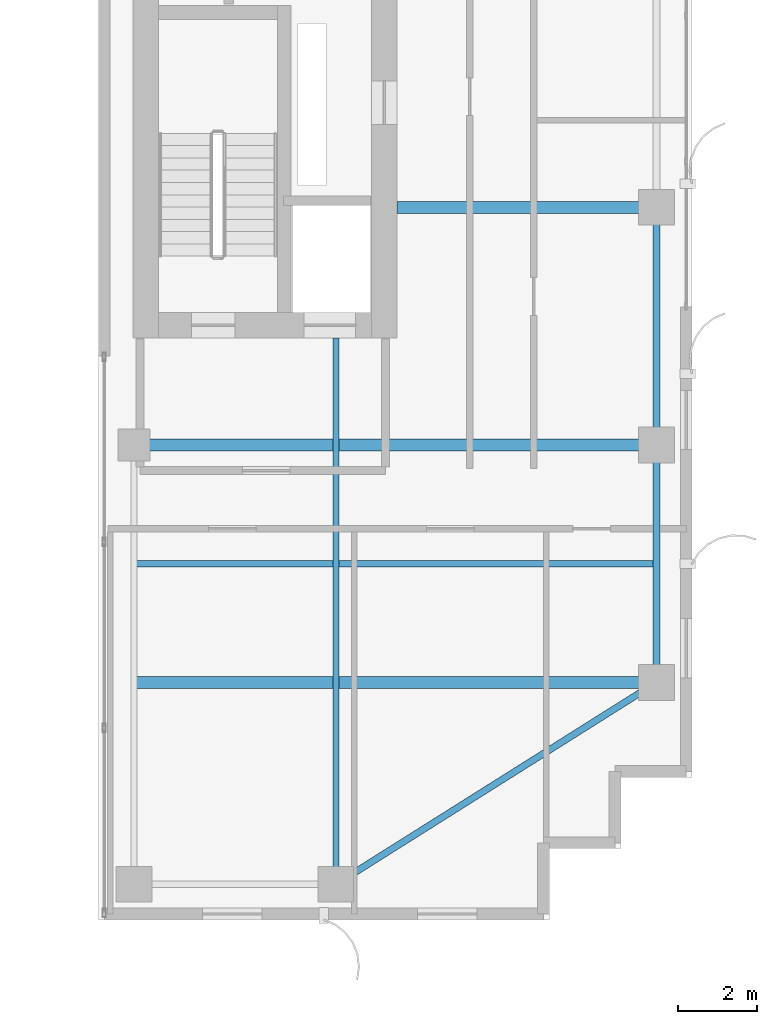
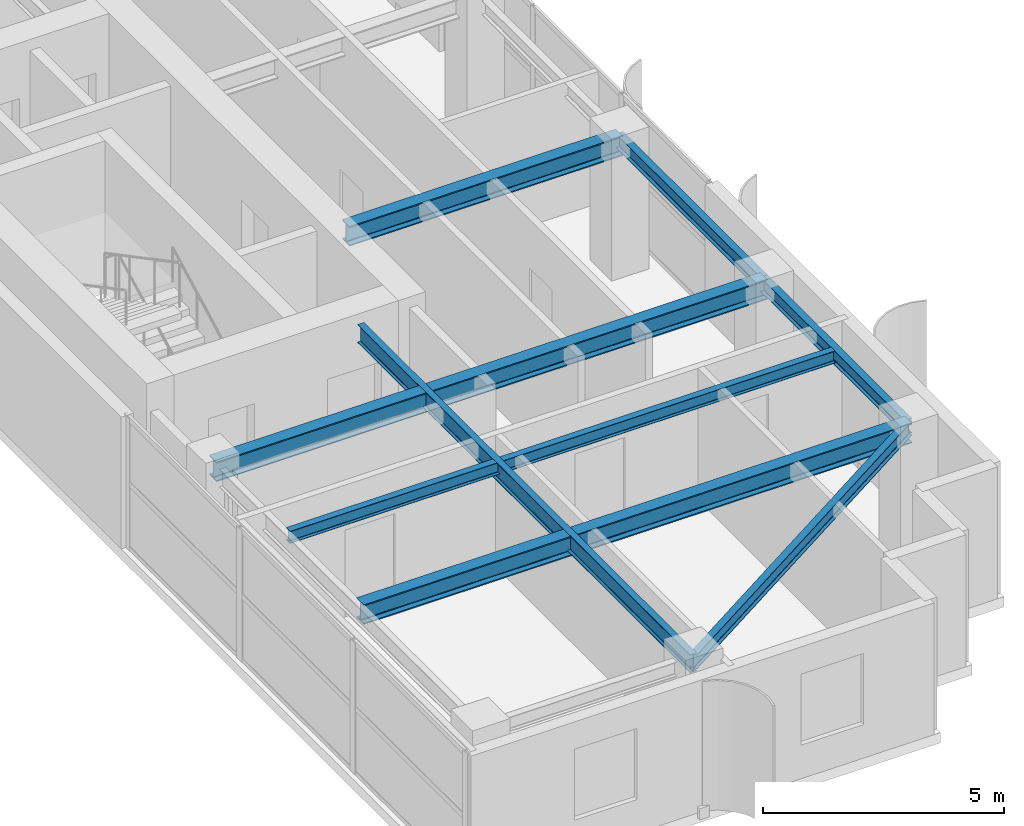
# One storey, part 10 of 22: 8 beams.
"""IFC4 building model written with IfcOpenShell, lengths in metres."""

from ifc_helpers import new_model, si_unit, direction, frame, origin, origin_2d, place, context, subcontext, project, spatial, i_section, extrude, source, transform, mapped, material, material_profile, profile_set, type_object, element, save


model = new_model("IFC4")

# Units and contexts
model_context = context("Model", 3, precision=1e-05, world=origin(), true_north=direction((0.0, 1.0)))
body_context = subcontext(model_context, "Body", "Model", "MODEL_VIEW")
ifc_project = project(units=[si_unit("LENGTHUNIT", "METRE"), si_unit("AREAUNIT", "SQUARE_METRE"), si_unit("VOLUMEUNIT", "CUBIC_METRE"), si_unit("PLANEANGLEUNIT", "RADIAN"), si_unit("MASSUNIT", "GRAM", prefix="KILO")], contexts=[model_context])

# Site, building, storey
site_placement = place(None, origin())
site = spatial("IfcSite", under=ifc_project, at=site_placement, CompositionType="ELEMENT")
building_placement = place(site_placement, origin())
building = spatial("IfcBuilding", under=site, at=building_placement, Name="Khoralis Quay Care Tower", CompositionType="ELEMENT")
storey_placement = place(building_placement, frame((0.0, 0.0, 202.5)))
storey = spatial("IfcBuildingStorey", under=building, at=storey_placement, Name="L53", CompositionType="ELEMENT", Elevation=202.5)

# Beams
ifc_material = material(Name="Steel S355", Category="steel")
ifc_material_profile_1 = material_profile(ifc_material, i_section(OverallWidth=0.169921875, OverallDepth=0.360107421875, WebThickness=0.008056640625, FlangeThickness=0.0126953125, FilletRadius=0.01806640625, at=origin_2d()), Name="Steel S355")
ifc_profile_set_1 = profile_set([ifc_material_profile_1], Name="Steel S355")
beam_type_1 = type_object("IfcBeamType", Name="BM-IPE360", PredefinedType="SPANDREL", material=ifc_profile_set_1)
shared_shape_1 = source(origin(), body_context, "Body", "SweptSolid", [
    extrude(i_section(OverallWidth=0.169921875, OverallDepth=0.360107421875, WebThickness=0.008056640625, FlangeThickness=0.0126953125, FilletRadius=0.01806640625, at=origin_2d()), origin(), (0.0, 0.0, 1.0), 6.0),
])
for number, where, z_axis, x_axis, name in (
    (1, (44.10009765625, 6.0, 3.159912109375), (0.0, 1.0, 0.0), (-1.0, 0.0, 0.0), "BM-TSP-L53-10"),
    (2, (44.10009765625, 12.0, 3.159912109375), (0.0, 1.0, 0.0), (-1.0, 0.0, 0.0), "BM-TSP-L53-11"),
):
    element("IfcBeam", number, at=place(storey_placement, frame(where, z_axis=z_axis, x_axis=x_axis)), inside=storey, type_object=beam_type_1, Name=name, PredefinedType="SPANDREL", context=body_context, shape_type="MappedRepresentation", body=[
        mapped(shared_shape_1, transform((0.0, 0.0, 0.0), scale=1.0)),
    ])
shared_shape_2 = source(origin(), body_context, "Body", "SweptSolid", [
    extrude(i_section(OverallWidth=0.169921875, OverallDepth=0.360107421875, WebThickness=0.008056640625, FlangeThickness=0.0126953125, FilletRadius=0.01806640625, at=origin_2d()), origin(), (0.0, 0.0, 1.0), 9.572021484375),
])
beam_1_placement = place(storey_placement, frame((36.0, 0.89990234375, 3.159912109375), z_axis=(0.846231136359, 0.532815975602, 0.0), x_axis=(-0.532815975602, 0.846231136359, 0.0)))
element("IfcBeam", 3, at=beam_1_placement, inside=storey, type_object=beam_type_1, Name="BM-TCR-L53-16", PredefinedType="SPANDREL", context=body_context, shape_type="MappedRepresentation", body=[
    mapped(shared_shape_2, transform((0.0, 0.0, 0.0), scale=1.0)),
])
ifc_material_profile_2 = material_profile(ifc_material, i_section(OverallWidth=0.300048828125, OverallDepth=0.5, WebThickness=0.014404296875, FlangeThickness=0.028076171875, FilletRadius=0.027099609375, at=origin_2d()), Name="Steel S355")
ifc_profile_set_2 = profile_set([ifc_material_profile_2], Name="Steel S355")
beam_type_2 = type_object("IfcBeamType", Name="BM-HEB500", PredefinedType="BEAM", material=ifc_profile_set_2)
shared_shape_3 = source(origin(), body_context, "Body", "SweptSolid", [
    extrude(i_section(OverallWidth=0.300048828125, OverallDepth=0.5, WebThickness=0.014404296875, FlangeThickness=0.028076171875, FilletRadius=0.027099609375, at=origin_2d()), origin(), (0.0, 0.0, 1.0), 13.135009765625),
])
beam_2_placement = place(storey_placement, frame((30.965087890625, 6.0, 3.090087890625), z_axis=(1.0, 0.0, 0.0), x_axis=(0.0, 1.0, 0.0)))
element("IfcBeam", 4, at=beam_2_placement, inside=storey, type_object=beam_type_2, Name="BM-TGXE-L53-60", PredefinedType="BEAM", context=body_context, shape_type="MappedRepresentation", body=[
    mapped(shared_shape_3, transform((0.0, 0.0, 0.0), scale=1.0)),
])
shared_shape_4 = source(origin(), body_context, "Body", "SweptSolid", [
    extrude(i_section(OverallWidth=0.300048828125, OverallDepth=0.5, WebThickness=0.014404296875, FlangeThickness=0.028076171875, FilletRadius=0.027099609375, at=origin_2d()), origin(), (0.0, 0.0, 1.0), 13.2001953125),
])
beam_3_placement = place(storey_placement, frame((30.89990234375, 12.0, 3.090087890625), z_axis=(1.0, 0.0, 0.0), x_axis=(0.0, 1.0, 0.0)))
element("IfcBeam", 5, at=beam_3_placement, inside=storey, type_object=beam_type_2, Name="BM-TGXE-L53-120", PredefinedType="BEAM", context=body_context, shape_type="MappedRepresentation", body=[
    mapped(shared_shape_4, transform((0.0, 0.0, 0.0), scale=1.0)),
])
shared_shape_5 = source(origin(), body_context, "Body", "SweptSolid", [
    extrude(i_section(OverallWidth=0.300048828125, OverallDepth=0.5, WebThickness=0.014404296875, FlangeThickness=0.028076171875, FilletRadius=0.027099609375, at=origin_2d()), origin(), (0.0, 0.0, 1.0), 6.552001953125),
])
beam_4_placement = place(storey_placement, frame((37.548095703125, 18.0, 3.090087890625), z_axis=(1.0, 0.0, 0.0), x_axis=(0.0, 1.0, 0.0)))
element("IfcBeam", 6, at=beam_4_placement, inside=storey, type_object=beam_type_2, Name="BM-TGXE-L53-180", PredefinedType="BEAM", context=body_context, shape_type="MappedRepresentation", body=[
    mapped(shared_shape_5, transform((0.0, 0.0, 0.0), scale=1.0)),
])
ifc_material_profile_3 = material_profile(ifc_material, i_section(OverallWidth=0.154052734375, OverallDepth=0.458984375, WebThickness=0.009033203125, FlangeThickness=0.015380859375, FilletRadius=0.014892578125, at=origin_2d()), Name="Steel S355")
ifc_profile_set_3 = profile_set([ifc_material_profile_3], Name="Steel S355")
beam_type_3 = type_object("IfcBeamType", Name="BM-W460X68", PredefinedType="BEAM", material=ifc_profile_set_3)
shared_shape_6 = source(origin(), body_context, "Body", "SweptSolid", [
    extrude(i_section(OverallWidth=0.154052734375, OverallDepth=0.458984375, WebThickness=0.009033203125, FlangeThickness=0.015380859375, FilletRadius=0.014892578125, at=origin_2d()), origin(), (0.0, 0.0, 1.0), 13.802001953125),
])
beam_5_placement = place(storey_placement, frame((36.0, 0.89990234375, 3.110595703125), z_axis=(0.0, 1.0, 0.0), x_axis=(-1.0, 0.0, 0.0)))
element("IfcBeam", 7, at=beam_5_placement, inside=storey, type_object=beam_type_3, Name="BM-TGYS-L53-360", PredefinedType="BEAM", context=body_context, shape_type="MappedRepresentation", body=[
    mapped(shared_shape_6, transform((0.0, 0.0, 0.0), scale=1.0)),
])
ifc_material_profile_4 = material_profile(ifc_material, i_section(OverallWidth=0.1650390625, OverallDepth=0.31005859375, WebThickness=0.005859375, FlangeThickness=0.009765625, FilletRadius=0.011962890625, at=origin_2d()), Name="Steel S355")
ifc_profile_set_4 = profile_set([ifc_material_profile_4], Name="Steel S355")
beam_type_4 = type_object("IfcBeamType", Name="BM-W310X39", PredefinedType="JOIST", material=ifc_profile_set_4)
shared_shape_7 = source(origin(), body_context, "Body", "SweptSolid", [
    extrude(i_section(OverallWidth=0.1650390625, OverallDepth=0.31005859375, WebThickness=0.005859375, FlangeThickness=0.009765625, FilletRadius=0.011962890625, at=origin_2d()), origin(), (0.0, 0.0, 1.0), 13.06396484375),
])
beam_6_placement = place(storey_placement, frame((30.965087890625, 9.0, 3.18505859375), z_axis=(1.0, 0.0, 0.0), x_axis=(0.0, 1.0, 0.0)))
element("IfcBeam", 8, at=beam_6_placement, inside=storey, type_object=beam_type_4, Name="BM-TJS-L53-20", PredefinedType="JOIST", context=body_context, shape_type="MappedRepresentation", body=[
    mapped(shared_shape_7, transform((0.0, 0.0, 0.0), scale=1.0)),
])

save(model, "model.ifc")
